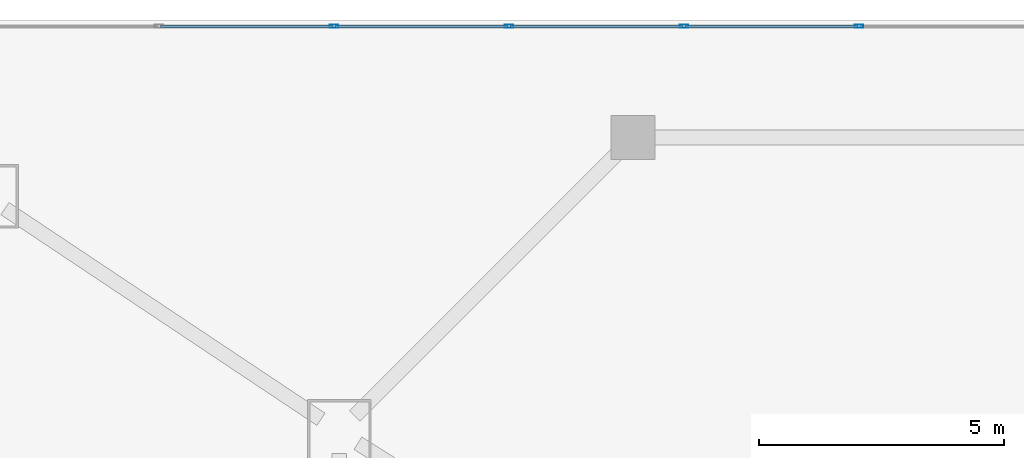
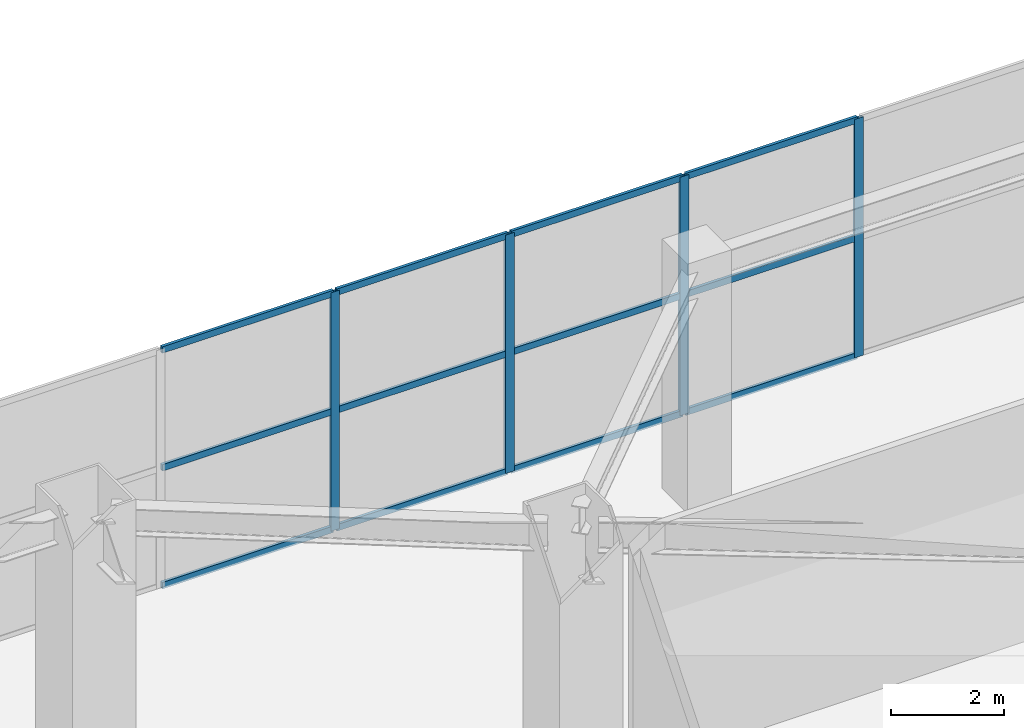
# One storey, part 20 of 37: 16 members, 1 element without a shape of its own.
"""IFC4 building model written with IfcOpenShell, lengths in metres."""

from ifc_helpers import new_model, si_unit, direction, frame, origin, origin_2d, place, context, subcontext, project, spatial, hollow_rectangle, extrude, material, layer, layer_set, material_profile, profile_set, type_object, element, aggregate, save


model = new_model("IFC4")

# Units and contexts
model_context = context("Model", 3, precision=1e-05, world=origin(), true_north=direction((0.0, 1.0)))
body_context = subcontext(model_context, "Body", "Model", "MODEL_VIEW")
ifc_project = project(units=[si_unit("LENGTHUNIT", "METRE"), si_unit("AREAUNIT", "SQUARE_METRE"), si_unit("VOLUMEUNIT", "CUBIC_METRE"), si_unit("PLANEANGLEUNIT", "RADIAN"), si_unit("MASSUNIT", "GRAM", prefix="KILO")], contexts=[model_context])

# Site, building, storey
site_placement = place(None, origin())
site = spatial("IfcSite", under=ifc_project, at=site_placement, CompositionType="ELEMENT")
building_placement = place(site_placement, origin())
building = spatial("IfcBuilding", under=site, at=building_placement, Name="Haolan Belvedere Tower", CompositionType="ELEMENT")
storey_placement = place(building_placement, frame((0.0, 0.0, 10.199951171875)))
storey = spatial("IfcBuildingStorey", under=building, at=storey_placement, Name="L02", CompositionType="ELEMENT", Elevation=10.199951171875)

# Curtain wall, members
ifc_material_1 = material(Name="Anodised champagne-silver aluminium 6063-T6 and Low-E glass", Category="aluminium")
ifc_layer = layer(ifc_material_1, 0.179931640625, Name="Anodised champagne-silver aluminium 6063-T6 and Low-E glass")
ifc_layer_set = layer_set([ifc_layer], Name="Anodised champagne-silver aluminium 6063-T6 and Low-E glass")
curtain_wall_type = type_object("IfcCurtainWallType", Name="CW-SYS-01", PredefinedType="NOTDEFINED", material=ifc_layer_set)
curtain_wall_placement = place(storey_placement, origin())
curtain_wall = element("IfcCurtainWall", 1, at=curtain_wall_placement, inside=storey, type_object=curtain_wall_type, Name="L02 CW-SYS-01 ribbon curtain wall 3.1", PredefinedType="NOTDEFINED")
ifc_material_2 = material(Name="Anodised aluminium 6063-T6", Category="aluminium")
ifc_material_profile_1 = material_profile(ifc_material_2, hollow_rectangle(XDim=0.06494140625, YDim=0.179931640625, WallThickness=0.00390625, at=origin_2d()), Name="Anodised aluminium 6063-T6")
ifc_profile_set_1 = profile_set([ifc_material_profile_1], Name="Anodised aluminium 6063-T6")
member_type_1 = type_object("IfcMemberType", Name="CW-SYS-01-MUL", PredefinedType="MULLION", material=ifc_profile_set_1)
member_1_placement = place(storey_placement, frame((63.410888671875, 53.8701171875, 0.0), z_axis=(0.0, 0.0, 1.0), x_axis=(0.0, -1.0, 0.0)))
member_1 = element("IfcMember", 2, at=member_1_placement, type_object=member_type_1, Name="CW-01 mullion 4", PredefinedType="MULLION", context=body_context, shape_type="SweptSolid", body=[
    extrude(hollow_rectangle(XDim=0.06494140625, YDim=0.179931640625, WallThickness=0.00390625, at=origin_2d()), origin(), (0.0, 0.0, 1.0), 5.16015625),
])
member_2_placement = place(storey_placement, frame((59.837890625, 53.8701171875, 0.0), z_axis=(0.0, 0.0, 1.0), x_axis=(0.0, -1.0, 0.0)))
member_2 = element("IfcMember", 3, at=member_2_placement, type_object=member_type_1, Name="CW-01 mullion 5", PredefinedType="MULLION", context=body_context, shape_type="SweptSolid", body=[
    extrude(hollow_rectangle(XDim=0.06494140625, YDim=0.179931640625, WallThickness=0.00390625, at=origin_2d()), origin(), (0.0, 0.0, 1.0), 5.16015625),
])
member_3_placement = place(storey_placement, frame((56.264892578125, 53.8701171875, 0.0), z_axis=(0.0, 0.0, 1.0), x_axis=(0.0, -1.0, 0.0)))
member_3 = element("IfcMember", 4, at=member_3_placement, type_object=member_type_1, Name="CW-01 mullion 6", PredefinedType="MULLION", context=body_context, shape_type="SweptSolid", body=[
    extrude(hollow_rectangle(XDim=0.06494140625, YDim=0.179931640625, WallThickness=0.00390625, at=origin_2d()), origin(), (0.0, 0.0, 1.0), 5.16015625),
])
member_4_placement = place(storey_placement, frame((52.69189453125, 53.8701171875, 0.0), z_axis=(0.0, 0.0, 1.0), x_axis=(0.0, -1.0, 0.0)))
member_4 = element("IfcMember", 5, at=member_4_placement, type_object=member_type_1, Name="CW-01 mullion 7", PredefinedType="MULLION", context=body_context, shape_type="SweptSolid", body=[
    extrude(hollow_rectangle(XDim=0.06494140625, YDim=0.179931640625, WallThickness=0.00390625, at=origin_2d()), origin(), (0.0, 0.0, 1.0), 5.16015625),
])
ifc_material_profile_2 = material_profile(ifc_material_2, hollow_rectangle(XDim=0.06005859375, YDim=0.139892578125, WallThickness=0.00390625, at=origin_2d()), Name="Anodised aluminium 6063-T6")
ifc_profile_set_2 = profile_set([ifc_material_profile_2], Name="Anodised aluminium 6063-T6")
member_type_2 = type_object("IfcMemberType", Name="CW-SYS-01-TRN", PredefinedType="USERDEFINED", material=ifc_profile_set_2)
member_5_placement = place(storey_placement, frame((63.37841796875, 53.8701171875, 0.030029296875), z_axis=(-1.0, 0.0, 0.0), x_axis=(0.0, -1.0, 0.0)))
member_5 = element("IfcMember", 6, at=member_5_placement, type_object=member_type_2, Name="CW-01 transom 4.1", ObjectType="TRANSOM", PredefinedType="USERDEFINED", context=body_context, shape_type="SweptSolid", body=[
    extrude(hollow_rectangle(XDim=0.06005859375, YDim=0.139892578125, WallThickness=0.00390625, at=origin_2d()), origin(), (0.0, 0.0, 1.0), 3.5078125),
])
member_6_placement = place(storey_placement, frame((63.37841796875, 53.8701171875, 2.580078125), z_axis=(-1.0, 0.0, 0.0), x_axis=(0.0, -1.0, 0.0)))
member_6 = element("IfcMember", 7, at=member_6_placement, type_object=member_type_2, Name="CW-01 transom 4.2", ObjectType="TRANSOM", PredefinedType="USERDEFINED", context=body_context, shape_type="SweptSolid", body=[
    extrude(hollow_rectangle(XDim=0.06005859375, YDim=0.139892578125, WallThickness=0.00390625, at=origin_2d()), origin(), (0.0, 0.0, 1.0), 3.5078125),
])
member_7_placement = place(storey_placement, frame((63.37841796875, 53.8701171875, 5.130126953125), z_axis=(-1.0, 0.0, 0.0), x_axis=(0.0, -1.0, 0.0)))
member_7 = element("IfcMember", 8, at=member_7_placement, type_object=member_type_2, Name="CW-01 transom 4.3", ObjectType="TRANSOM", PredefinedType="USERDEFINED", context=body_context, shape_type="SweptSolid", body=[
    extrude(hollow_rectangle(XDim=0.06005859375, YDim=0.139892578125, WallThickness=0.00390625, at=origin_2d()), origin(), (0.0, 0.0, 1.0), 3.5078125),
])
member_8_placement = place(storey_placement, frame((59.805419921875, 53.8701171875, 0.030029296875), z_axis=(-1.0, 0.0, 0.0), x_axis=(0.0, -1.0, 0.0)))
member_8 = element("IfcMember", 9, at=member_8_placement, type_object=member_type_2, Name="CW-01 transom 5.1", ObjectType="TRANSOM", PredefinedType="USERDEFINED", context=body_context, shape_type="SweptSolid", body=[
    extrude(hollow_rectangle(XDim=0.06005859375, YDim=0.139892578125, WallThickness=0.00390625, at=origin_2d()), origin(), (0.0, 0.0, 1.0), 3.5078125),
])
member_9_placement = place(storey_placement, frame((59.805419921875, 53.8701171875, 2.580078125), z_axis=(-1.0, 0.0, 0.0), x_axis=(0.0, -1.0, 0.0)))
member_9 = element("IfcMember", 10, at=member_9_placement, type_object=member_type_2, Name="CW-01 transom 5.2", ObjectType="TRANSOM", PredefinedType="USERDEFINED", context=body_context, shape_type="SweptSolid", body=[
    extrude(hollow_rectangle(XDim=0.06005859375, YDim=0.139892578125, WallThickness=0.00390625, at=origin_2d()), origin(), (0.0, 0.0, 1.0), 3.5078125),
])
member_10_placement = place(storey_placement, frame((59.805419921875, 53.8701171875, 5.130126953125), z_axis=(-1.0, 0.0, 0.0), x_axis=(0.0, -1.0, 0.0)))
member_10 = element("IfcMember", 11, at=member_10_placement, type_object=member_type_2, Name="CW-01 transom 5.3", ObjectType="TRANSOM", PredefinedType="USERDEFINED", context=body_context, shape_type="SweptSolid", body=[
    extrude(hollow_rectangle(XDim=0.06005859375, YDim=0.139892578125, WallThickness=0.00390625, at=origin_2d()), origin(), (0.0, 0.0, 1.0), 3.5078125),
])
member_11_placement = place(storey_placement, frame((56.232421875, 53.8701171875, 0.030029296875), z_axis=(-1.0, 0.0, 0.0), x_axis=(0.0, -1.0, 0.0)))
member_11 = element("IfcMember", 12, at=member_11_placement, type_object=member_type_2, Name="CW-01 transom 6.1", ObjectType="TRANSOM", PredefinedType="USERDEFINED", context=body_context, shape_type="SweptSolid", body=[
    extrude(hollow_rectangle(XDim=0.06005859375, YDim=0.139892578125, WallThickness=0.00390625, at=origin_2d()), origin(), (0.0, 0.0, 1.0), 3.5078125),
])
member_12_placement = place(storey_placement, frame((56.232421875, 53.8701171875, 2.580078125), z_axis=(-1.0, 0.0, 0.0), x_axis=(0.0, -1.0, 0.0)))
member_12 = element("IfcMember", 13, at=member_12_placement, type_object=member_type_2, Name="CW-01 transom 6.2", ObjectType="TRANSOM", PredefinedType="USERDEFINED", context=body_context, shape_type="SweptSolid", body=[
    extrude(hollow_rectangle(XDim=0.06005859375, YDim=0.139892578125, WallThickness=0.00390625, at=origin_2d()), origin(), (0.0, 0.0, 1.0), 3.5078125),
])
member_13_placement = place(storey_placement, frame((56.232421875, 53.8701171875, 5.130126953125), z_axis=(-1.0, 0.0, 0.0), x_axis=(0.0, -1.0, 0.0)))
member_13 = element("IfcMember", 14, at=member_13_placement, type_object=member_type_2, Name="CW-01 transom 6.3", ObjectType="TRANSOM", PredefinedType="USERDEFINED", context=body_context, shape_type="SweptSolid", body=[
    extrude(hollow_rectangle(XDim=0.06005859375, YDim=0.139892578125, WallThickness=0.00390625, at=origin_2d()), origin(), (0.0, 0.0, 1.0), 3.5078125),
])
member_14_placement = place(storey_placement, frame((52.659423828125, 53.8701171875, 0.030029296875), z_axis=(-1.0, 0.0, 0.0), x_axis=(0.0, -1.0, 0.0)))
member_14 = element("IfcMember", 15, at=member_14_placement, type_object=member_type_2, Name="CW-01 transom 7.1", ObjectType="TRANSOM", PredefinedType="USERDEFINED", context=body_context, shape_type="SweptSolid", body=[
    extrude(hollow_rectangle(XDim=0.06005859375, YDim=0.139892578125, WallThickness=0.00390625, at=origin_2d()), origin(), (0.0, 0.0, 1.0), 3.5078125),
])
member_15_placement = place(storey_placement, frame((52.659423828125, 53.8701171875, 2.580078125), z_axis=(-1.0, 0.0, 0.0), x_axis=(0.0, -1.0, 0.0)))
member_15 = element("IfcMember", 16, at=member_15_placement, type_object=member_type_2, Name="CW-01 transom 7.2", ObjectType="TRANSOM", PredefinedType="USERDEFINED", context=body_context, shape_type="SweptSolid", body=[
    extrude(hollow_rectangle(XDim=0.06005859375, YDim=0.139892578125, WallThickness=0.00390625, at=origin_2d()), origin(), (0.0, 0.0, 1.0), 3.5078125),
])
member_16_placement = place(storey_placement, frame((52.659423828125, 53.8701171875, 5.130126953125), z_axis=(-1.0, 0.0, 0.0), x_axis=(0.0, -1.0, 0.0)))
member_16 = element("IfcMember", 17, at=member_16_placement, type_object=member_type_2, Name="CW-01 transom 7.3", ObjectType="TRANSOM", PredefinedType="USERDEFINED", context=body_context, shape_type="SweptSolid", body=[
    extrude(hollow_rectangle(XDim=0.06005859375, YDim=0.139892578125, WallThickness=0.00390625, at=origin_2d()), origin(), (0.0, 0.0, 1.0), 3.5078125),
])
aggregate(curtain_wall, [member_1, member_2, member_3, member_4, member_5, member_6, member_7, member_8, member_9, member_10, member_11, member_12, member_13, member_14, member_15, member_16])

save(model, "model.ifc")
